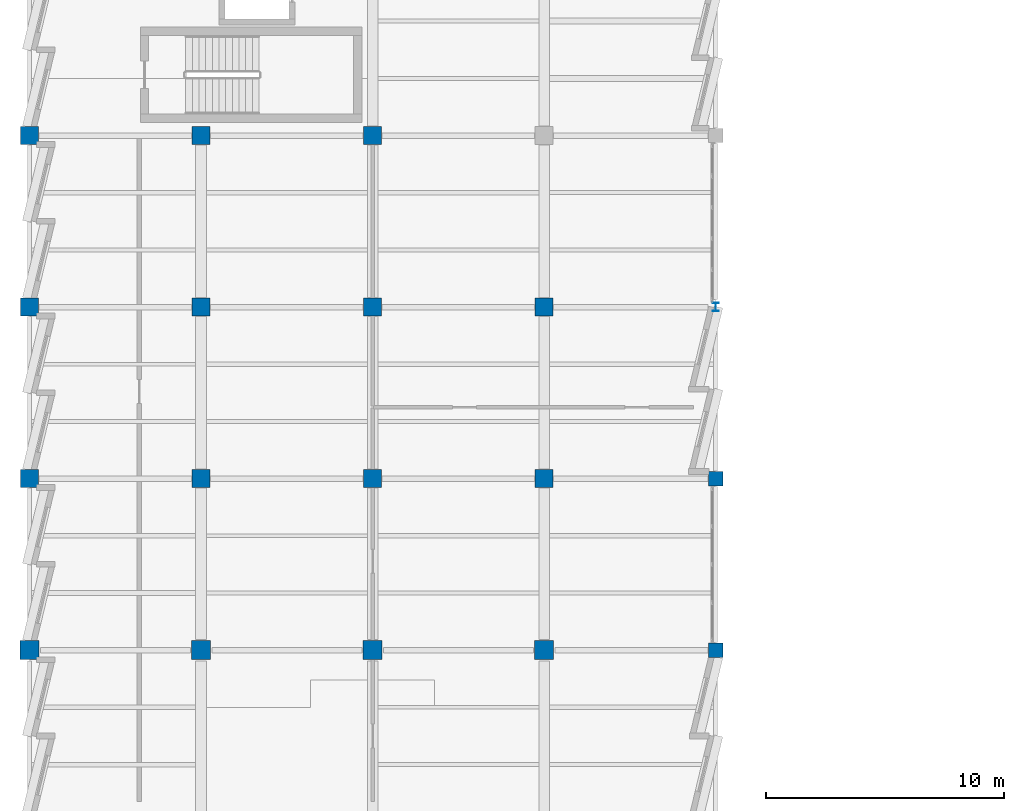
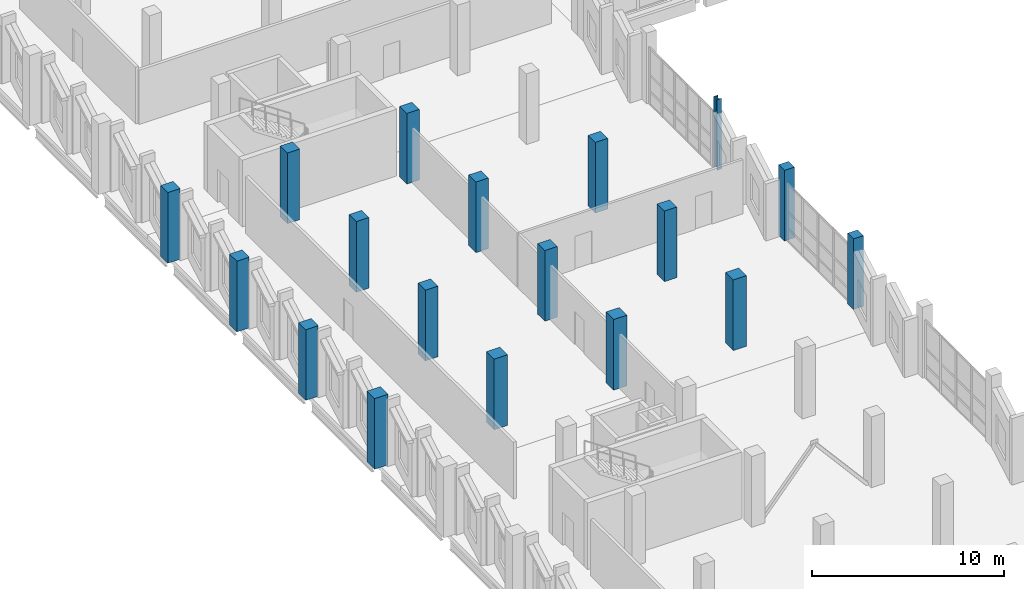
# One storey, part 9 of 123: 18 columns.
"""IFC4 building model written with IfcOpenShell, lengths in metres."""

from ifc_helpers import new_model, si_unit, direction, frame, origin, origin_2d, place, context, subcontext, project, spatial, rectangle, i_section, extrude, material, material_profile, profile_set, type_object, element, save


model = new_model("IFC4")

# Units and contexts
model_context = context("Model", 3, precision=1e-05, world=origin(), true_north=direction((0.0, 1.0)))
body_context = subcontext(model_context, "Body", "Model", "MODEL_VIEW")
ifc_project = project(units=[si_unit("LENGTHUNIT", "METRE"), si_unit("AREAUNIT", "SQUARE_METRE"), si_unit("VOLUMEUNIT", "CUBIC_METRE"), si_unit("PLANEANGLEUNIT", "RADIAN"), si_unit("MASSUNIT", "GRAM", prefix="KILO")], contexts=[model_context])

# Site, building, storey
site_placement = place(None, origin())
site = spatial("IfcSite", under=ifc_project, at=site_placement, CompositionType="ELEMENT")
building_placement = place(site_placement, origin())
building = spatial("IfcBuilding", under=site, at=building_placement, Name="Kalmorath City Hall", CompositionType="ELEMENT")
storey_placement = place(building_placement, frame((0.0, 0.0, 10.199951171875)))
storey = spatial("IfcBuildingStorey", under=building, at=storey_placement, Name="L02", CompositionType="ELEMENT", Elevation=10.199951171875)

# Columns
ifc_material_1 = material(Name="Concrete C50/60", Category="concrete")
ifc_material_profile_1 = material_profile(ifc_material_1, rectangle(XDim=0.60009765625, YDim=0.60009765625, at=origin_2d()), Name="RC-COL-600X600")
ifc_profile_set_1 = profile_set([ifc_material_profile_1], Name="Concrete C50/60")
column_type_1 = type_object("IfcColumnType", Name="Concrete column 600x600", PredefinedType="COLUMN", material=ifc_profile_set_1)
for number, where, z_axis, x_axis, name in (
    (1, (28.800048828125, 64.800048828125, 0.0), (0.0, 0.0, 1.0), (1.0, 0.0, 0.0), "L02 column C6 (5/10)"),
    (2, (28.800048828125, 72.0, 0.0), (0.0, 0.0, 1.0), (1.0, 0.0, 0.0), "L02 column C6 (5/11)"),
):
    element("IfcColumn", number, at=place(storey_placement, frame(where, z_axis=z_axis, x_axis=x_axis)), inside=storey, type_object=column_type_1, Name=name, PredefinedType="COLUMN", context=body_context, shape_type="SweptSolid", body=[
        extrude(rectangle(XDim=0.60009765625, YDim=0.60009765625, at=origin_2d()), origin(), (0.0, 0.0, 1.0), 4.5),
    ])
ifc_material_2 = material(Name="Concrete C50/60", Category="concrete")
ifc_material_profile_2 = material_profile(ifc_material_2, rectangle(XDim=0.75, YDim=0.75, at=origin_2d()), Name="RC-COL-750X750")
ifc_profile_set_2 = profile_set([ifc_material_profile_2], Name="Concrete C50/60")
column_type_2 = type_object("IfcColumnType", Name="Concrete column 750x750", PredefinedType="COLUMN", material=ifc_profile_set_2)
for number, where, z_axis, x_axis, name in (
    (3, (0.0, 72.0, 0.0), (0.0, 0.0, 1.0), (1.0, 0.0, 0.0), "L02 column C3 (1/11)"),
    (4, (0.0, 79.199951171875, 0.0), (0.0, 0.0, 1.0), (1.0, 0.0, 0.0), "L02 column C3 (1/12)"),
    (5, (0.0, 86.39990234375, 0.0), (0.0, 0.0, 1.0), (1.0, 0.0, 0.0), "L02 column C3 (1/13)"),
    (6, (7.199951171875, 72.0, 0.0), (0.0, 0.0, 1.0), (1.0, 0.0, 0.0), "L02 column C3 (2/11)"),
    (7, (7.199951171875, 79.199951171875, 0.0), (0.0, 0.0, 1.0), (1.0, 0.0, 0.0), "L02 column C3 (2/12)"),
    (8, (7.199951171875, 86.39990234375, 0.0), (0.0, 0.0, 1.0), (1.0, 0.0, 0.0), "L02 column C3 (2/13)"),
    (9, (14.39990234375, 72.0, 0.0), (0.0, 0.0, 1.0), (1.0, 0.0, 0.0), "L02 column C3 (3/11)"),
    (10, (14.39990234375, 79.199951171875, 0.0), (0.0, 0.0, 1.0), (1.0, 0.0, 0.0), "L02 column C3 (3/12)"),
    (11, (14.39990234375, 86.39990234375, 0.0), (0.0, 0.0, 1.0), (1.0, 0.0, 0.0), "L02 column C3 (3/13)"),
    (12, (21.60009765625, 72.0, 0.0), (0.0, 0.0, 1.0), (1.0, 0.0, 0.0), "L02 column C3 (4/11)"),
    (13, (21.60009765625, 79.199951171875, 0.0), (0.0, 0.0, 1.0), (1.0, 0.0, 0.0), "L02 column C3 (4/12)"),
):
    element("IfcColumn", number, at=place(storey_placement, frame(where, z_axis=z_axis, x_axis=x_axis)), inside=storey, type_object=column_type_2, Name=name, PredefinedType="COLUMN", context=body_context, shape_type="SweptSolid", body=[
        extrude(rectangle(XDim=0.75, YDim=0.75, at=origin_2d()), origin(), (0.0, 0.0, 1.0), 4.5),
    ])
ifc_material_3 = material(Name="Concrete C50/60", Category="concrete")
ifc_material_profile_3 = material_profile(ifc_material_3, rectangle(XDim=0.800048828125, YDim=0.800048828125, at=origin_2d()), Name="RC-COL-800X800")
ifc_profile_set_3 = profile_set([ifc_material_profile_3], Name="Concrete C50/60")
column_type_3 = type_object("IfcColumnType", Name="Concrete column 800x800", PredefinedType="COLUMN", material=ifc_profile_set_3)
for number, where, z_axis, x_axis, name in (
    (14, (0.0, 64.800048828125, 0.0), (0.0, 0.0, 1.0), (1.0, 0.0, 0.0), "L02 column C2 (1/10)"),
    (15, (7.199951171875, 64.800048828125, 0.0), (0.0, 0.0, 1.0), (1.0, 0.0, 0.0), "L02 column C2 (2/10)"),
    (16, (14.39990234375, 64.800048828125, 0.0), (0.0, 0.0, 1.0), (1.0, 0.0, 0.0), "L02 column C2 (3/10)"),
    (17, (21.60009765625, 64.800048828125, 0.0), (0.0, 0.0, 1.0), (1.0, 0.0, 0.0), "L02 column C2 (4/10)"),
):
    element("IfcColumn", number, at=place(storey_placement, frame(where, z_axis=z_axis, x_axis=x_axis)), inside=storey, type_object=column_type_3, Name=name, PredefinedType="COLUMN", context=body_context, shape_type="SweptSolid", body=[
        extrude(rectangle(XDim=0.800048828125, YDim=0.800048828125, at=origin_2d()), origin(), (0.0, 0.0, 1.0), 4.5),
    ])
ifc_material_4 = material(Name="Steel ASTM A992 Grade 50", Category="steel")
ifc_material_profile_4 = material_profile(ifc_material_4, i_section(OverallWidth=0.25390625, OverallDepth=0.35302734375, WebThickness=0.009521484375, FlangeThickness=0.016357421875, FilletRadius=0.014892578125, at=origin_2d()), Name="W14X61")
ifc_profile_set_4 = profile_set([ifc_material_profile_4], Name="Steel ASTM A992 Grade 50")
column_type_4 = type_object("IfcColumnType", Name="Steel wide-flange column W14X61", PredefinedType="COLUMN", material=ifc_profile_set_4)
column_placement = place(storey_placement, frame((28.800048828125, 79.199951171875, 0.0), z_axis=(0.0, 0.0, 1.0), x_axis=(1.0, 0.0, 0.0)))
element("IfcColumn", 18, at=column_placement, inside=storey, type_object=column_type_4, Name="L02 column SC1 (5/12)", PredefinedType="COLUMN", context=body_context, shape_type="SweptSolid", body=[
    extrude(i_section(OverallWidth=0.25390625, OverallDepth=0.35302734375, WebThickness=0.009521484375, FlangeThickness=0.016357421875, FilletRadius=0.014892578125, at=origin_2d()), origin(), (0.0, 0.0, 1.0), 4.5),
])

save(model, "model.ifc")
